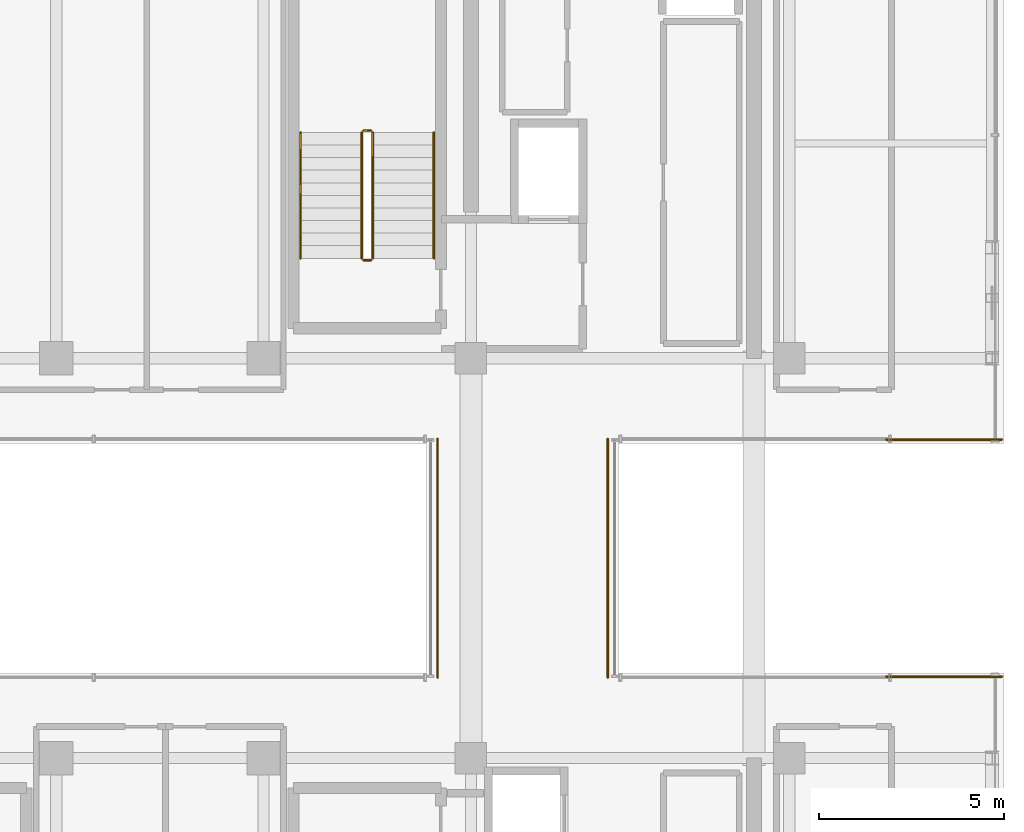
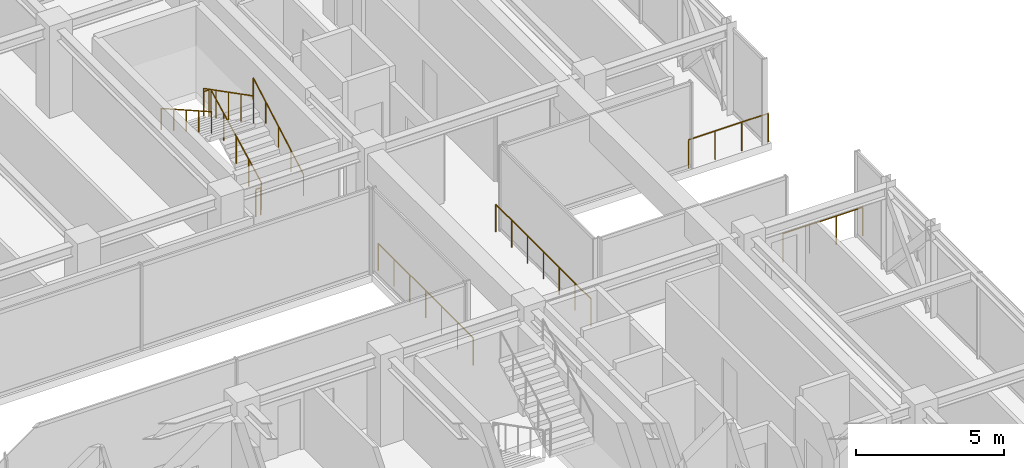
# One storey, part 36 of 37: 10 railings.
"""IFC4 building model written with IfcOpenShell, lengths in metres."""

from ifc_helpers import new_model, si_unit, direction, frame, origin, origin_2d, place, context, subcontext, project, spatial, circle, extrude, material, type_object, element, save


model = new_model("IFC4")

# Units and contexts
model_context = context("Model", 3, precision=1e-05, world=origin(), true_north=direction((0.0, 1.0)))
body_context = subcontext(model_context, "Body", "Model", "MODEL_VIEW")
ifc_project = project(units=[si_unit("LENGTHUNIT", "METRE"), si_unit("AREAUNIT", "SQUARE_METRE"), si_unit("VOLUMEUNIT", "CUBIC_METRE"), si_unit("PLANEANGLEUNIT", "RADIAN"), si_unit("MASSUNIT", "GRAM", prefix="KILO")], contexts=[model_context])

# Site, building, storey
site_placement = place(None, origin())
site = spatial("IfcSite", under=ifc_project, at=site_placement, CompositionType="ELEMENT")
building_placement = place(site_placement, origin())
building = spatial("IfcBuilding", under=site, at=building_placement, Name="Nahalor Promenade Grand Hotel", CompositionType="ELEMENT")
storey_placement = place(building_placement, frame((0.0, 0.0, 308.050048828125)))
storey = spatial("IfcBuildingStorey", under=building, at=storey_placement, Name="L79", CompositionType="ELEMENT", Elevation=308.050048828125)

# Railings
ifc_material_1 = material(Name="Anodised Bronze Aluminium EN AW-6063 T6", Category="aluminium")
railing_type_1 = type_object("IfcRailingType", Name="Bronze Balcony Guardrail 1200 mm", PredefinedType="GUARDRAIL", material=ifc_material_1)
for number, where, name in (
    (1, (19.6201171875, -3.199951171875, 0.0), "L79 Oculus Void Edge Guardrail ES"),
    (2, (19.6201171875, 3.199951171875, 0.0), "L79 Oculus Void Edge Guardrail EN"),
):
    element("IfcRailing", number, at=place(storey_placement, frame(where)), inside=storey, type_object=railing_type_1, Name=name, PredefinedType="GUARDRAIL", context=body_context, shape_type="SweptSolid", body=[
        extrude(circle(Radius=0.024048, at=origin_2d()), frame((0.0, 0.0, 1.17578125), z_axis=(1.0, 0.0, 0.0), x_axis=(0.0, 1.0, 0.0)), (0.0, 0.0, 1.0), 3.119873046875),
        extrude(circle(Radius=0.020996, at=origin_2d()), origin(), (0.0, 0.0, 1.0), 1.14990234375),
        extrude(circle(Radius=0.020996, at=origin_2d()), frame((1.0400390625, 0.0, 0.0)), (0.0, 0.0, 1.0), 1.14990234375),
        extrude(circle(Radius=0.020996, at=origin_2d()), frame((2.079833984375, 0.0, 0.0)), (0.0, 0.0, 1.0), 1.14990234375),
        extrude(circle(Radius=0.020996, at=origin_2d()), frame((3.119873046875, 0.0, 0.0)), (0.0, 0.0, 1.0), 1.14990234375),
    ])
railing_type_2 = type_object("IfcRailingType", Name="Bronze Sky Balustrade 1150 mm", PredefinedType="BALUSTRADE", material=ifc_material_1)
for number, where, name in (
    (3, (7.5, -3.219970703125, 0.0), "BL-L79-BRG-W"),
    (4, (12.10009765625, -3.219970703125, 0.0), "BL-L79-BRG-E"),
):
    element("IfcRailing", number, at=place(storey_placement, frame(where)), inside=storey, type_object=railing_type_2, Name=name, PredefinedType="BALUSTRADE", context=body_context, shape_type="SweptSolid", body=[
        extrude(circle(Radius=0.024048, at=origin_2d()), frame((0.0, 0.0, 1.1259765625), z_axis=(0.0, 1.0, 0.0), x_axis=(-1.0, 0.0, 0.0)), (0.0, 0.0, 1.0), 6.43994140625),
        extrude(circle(Radius=0.020996, at=origin_2d()), origin(), (0.0, 0.0, 1.0), 1.099853515625),
        extrude(circle(Radius=0.020996, at=origin_2d()), frame((0.0, 1.0732421875, 0.0)), (0.0, 0.0, 1.0), 1.099853515625),
        extrude(circle(Radius=0.020996, at=origin_2d()), frame((0.0, 2.146728515625, 0.0)), (0.0, 0.0, 1.0), 1.099853515625),
        extrude(circle(Radius=0.020996, at=origin_2d()), frame((0.0, 3.219970703125, 0.0)), (0.0, 0.0, 1.0), 1.099853515625),
        extrude(circle(Radius=0.020996, at=origin_2d()), frame((0.0, 4.293212890625, 0.0)), (0.0, 0.0, 1.0), 1.099853515625),
        extrude(circle(Radius=0.020996, at=origin_2d()), frame((0.0, 5.36669921875, 0.0)), (0.0, 0.0, 1.0), 1.099853515625),
        extrude(circle(Radius=0.020996, at=origin_2d()), frame((0.0, 6.43994140625, 0.0)), (0.0, 0.0, 1.0), 1.099853515625),
    ])
ifc_material_2 = material(Name="Steel S355JR", Category="steel")
railing_type_3 = type_object("IfcRailingType", Name="Steel Stair Guardrail 1150 mm", PredefinedType="GUARDRAIL", material=ifc_material_2)
railing_1_placement = place(storey_placement, frame((5.75, 8.10009765625, 0.175048828125)))
element("IfcRailing", 5, at=railing_1_placement, inside=storey, type_object=railing_type_3, Name="L79 ST1 stair guard 1", PredefinedType="GUARDRAIL", context=body_context, shape_type="SweptSolid", body=[
    extrude(circle(Radius=0.024048, at=origin_2d()), frame((0.0, 0.0, 1.1259765625), z_axis=(0.0, 0.889130461562, 0.457653823673), x_axis=(-1.0, 0.0, 0.0)), (0.0, 0.0, 1.0), 3.82373046875),
    extrude(circle(Radius=0.020996, at=origin_2d()), origin(), (0.0, 0.0, 1.0), 1.099853515625),
    extrude(circle(Radius=0.020996, at=origin_2d()), frame((0.0, 0.85009765625, 0.4375)), (0.0, 0.0, 1.0), 1.099853515625),
    extrude(circle(Radius=0.020996, at=origin_2d()), frame((0.0, 1.699951171875, 0.875)), (0.0, 0.0, 1.0), 1.099853515625),
    extrude(circle(Radius=0.020996, at=origin_2d()), frame((0.0, 2.5498046875, 1.3125)), (0.0, 0.0, 1.0), 1.099853515625),
    extrude(circle(Radius=0.020996, at=origin_2d()), frame((0.0, 3.39990234375, 1.75)), (0.0, 0.0, 1.0), 1.099853515625),
])
railing_2_placement = place(storey_placement, frame((5.699951171875, 11.550048828125, 1.925048828125)))
element("IfcRailing", 6, at=railing_2_placement, inside=storey, type_object=railing_type_3, Name="L79 ST1 stair guard 2", PredefinedType="GUARDRAIL", context=body_context, shape_type="SweptSolid", body=[
    extrude(circle(Radius=0.024048, at=origin_2d()), frame((0.0, 0.0, 1.1259765625), z_axis=(-1.0, 0.0, 0.0), x_axis=(0.0, -1.0, 0.0)), (0.0, 0.0, 1.0), 0.199951171875),
    extrude(circle(Radius=0.020996, at=origin_2d()), origin(), (0.0, 0.0, 1.0), 1.099853515625),
    extrude(circle(Radius=0.020996, at=origin_2d()), frame((-0.199951171875, 0.0, 0.0)), (0.0, 0.0, 1.0), 1.099853515625),
])
railing_3_placement = place(storey_placement, frame((5.449951171875, 11.5, 2.099853515625)))
element("IfcRailing", 7, at=railing_3_placement, inside=storey, type_object=railing_type_3, Name="L79 ST1 stair guard 3", PredefinedType="GUARDRAIL", context=body_context, shape_type="SweptSolid", body=[
    extrude(circle(Radius=0.024048, at=origin_2d()), frame((0.0, 0.0, 1.1259765625), z_axis=(0.0, -0.889130461562, 0.457653823673), x_axis=(1.0, 0.0, 0.0)), (0.0, 0.0, 1.0), 3.82373046875),
    extrude(circle(Radius=0.020996, at=origin_2d()), origin(), (0.0, 0.0, 1.0), 1.099853515625),
    extrude(circle(Radius=0.020996, at=origin_2d()), frame((0.0, -0.85009765625, 0.4375)), (0.0, 0.0, 1.0), 1.099853515625),
    extrude(circle(Radius=0.020996, at=origin_2d()), frame((0.0, -1.699951171875, 0.875)), (0.0, 0.0, 1.0), 1.099853515625),
    extrude(circle(Radius=0.020996, at=origin_2d()), frame((0.0, -2.5498046875, 1.3125)), (0.0, 0.0, 1.0), 1.099853515625),
    extrude(circle(Radius=0.020996, at=origin_2d()), frame((0.0, -3.39990234375, 1.75)), (0.0, 0.0, 1.0), 1.099853515625),
])
railing_4_placement = place(storey_placement, frame((5.699951171875, 8.050048828125, 0.0)))
element("IfcRailing", 8, at=railing_4_placement, inside=storey, type_object=railing_type_3, Name="L79 ST1 stair guard 4", PredefinedType="GUARDRAIL", context=body_context, shape_type="SweptSolid", body=[
    extrude(circle(Radius=0.024048, at=origin_2d()), frame((0.0, 0.0, 1.1259765625), z_axis=(-1.0, 0.0, 0.0), x_axis=(0.0, -1.0, 0.0)), (0.0, 0.0, 1.0), 0.199951171875),
    extrude(circle(Radius=0.020996, at=origin_2d()), origin(), (0.0, 0.0, 1.0), 1.099853515625),
    extrude(circle(Radius=0.020996, at=origin_2d()), frame((-0.199951171875, 0.0, 0.0)), (0.0, 0.0, 1.0), 1.099853515625),
])
railing_type_4 = type_object("IfcRailingType", Name="Steel Stair Handrail 900 mm", PredefinedType="HANDRAIL", material=ifc_material_2)
railing_5_placement = place(storey_placement, frame((7.39990234375, 8.10009765625, 0.175048828125)))
element("IfcRailing", 9, at=railing_5_placement, inside=storey, type_object=railing_type_4, Name="L79 ST1 stair handrail 1", PredefinedType="HANDRAIL", context=body_context, shape_type="SweptSolid", body=[
    extrude(circle(Radius=0.024048, at=origin_2d()), frame((0.0, 0.0, 0.8759765625), z_axis=(0.0, 0.870220461208, 0.492662510137), x_axis=(-1.0, 0.0, 0.0)), (0.0, 0.0, 1.0), 3.906982421875),
    extrude(circle(Radius=0.020996, at=origin_2d()), origin(), (0.0, 0.0, 1.0), 0.849853515625),
    extrude(circle(Radius=0.020996, at=origin_2d()), frame((0.0, 0.85009765625, 0.481201171875)), (0.0, 0.0, 1.0), 0.849853515625),
    extrude(circle(Radius=0.020996, at=origin_2d()), frame((0.0, 1.699951171875, 0.96240234375)), (0.0, 0.0, 1.0), 0.849853515625),
    extrude(circle(Radius=0.020996, at=origin_2d()), frame((0.0, 2.5498046875, 1.443603515625)), (0.0, 0.0, 1.0), 0.849853515625),
    extrude(circle(Radius=0.020996, at=origin_2d()), frame((0.0, 3.39990234375, 1.9248046875)), (0.0, 0.0, 1.0), 0.849853515625),
])
railing_6_placement = place(storey_placement, frame((3.800048828125, 11.5, 2.099853515625)))
element("IfcRailing", 10, at=railing_6_placement, inside=storey, type_object=railing_type_4, Name="L79 ST1 stair handrail 2", PredefinedType="HANDRAIL", context=body_context, shape_type="SweptSolid", body=[
    extrude(circle(Radius=0.024048, at=origin_2d()), frame((0.0, 0.0, 0.8759765625), z_axis=(0.0, -0.870193670192, 0.492709829776), x_axis=(1.0, 0.0, 0.0)), (0.0, 0.0, 1.0), 3.906982421875),
    extrude(circle(Radius=0.020996, at=origin_2d()), origin(), (0.0, 0.0, 1.0), 0.849853515625),
    extrude(circle(Radius=0.020996, at=origin_2d()), frame((0.0, -0.85009765625, 0.481201171875)), (0.0, 0.0, 1.0), 0.849853515625),
    extrude(circle(Radius=0.020996, at=origin_2d()), frame((0.0, -1.699951171875, 0.96240234375)), (0.0, 0.0, 1.0), 0.849853515625),
    extrude(circle(Radius=0.020996, at=origin_2d()), frame((0.0, -2.5498046875, 1.44384765625)), (0.0, 0.0, 1.0), 0.849853515625),
    extrude(circle(Radius=0.020996, at=origin_2d()), frame((0.0, -3.39990234375, 1.925048828125)), (0.0, 0.0, 1.0), 0.849853515625),
])

save(model, "model.ifc")
